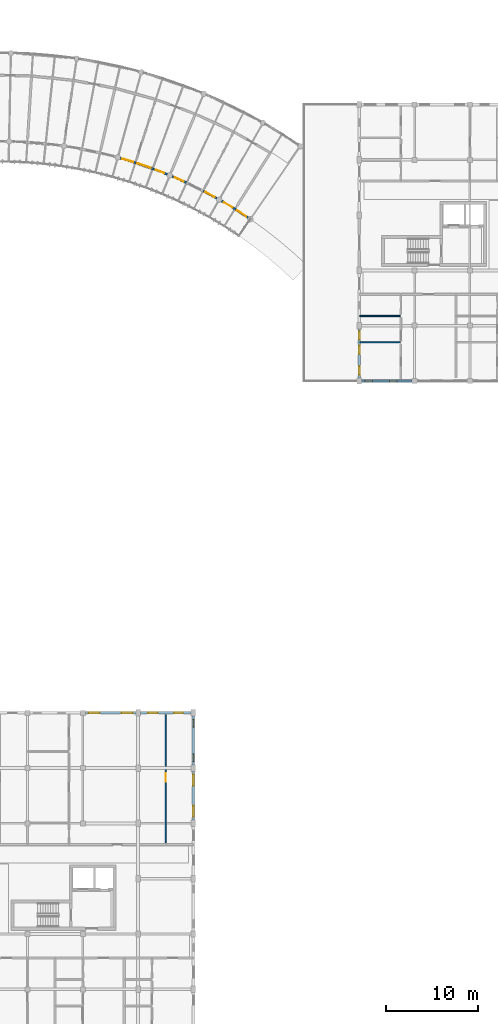
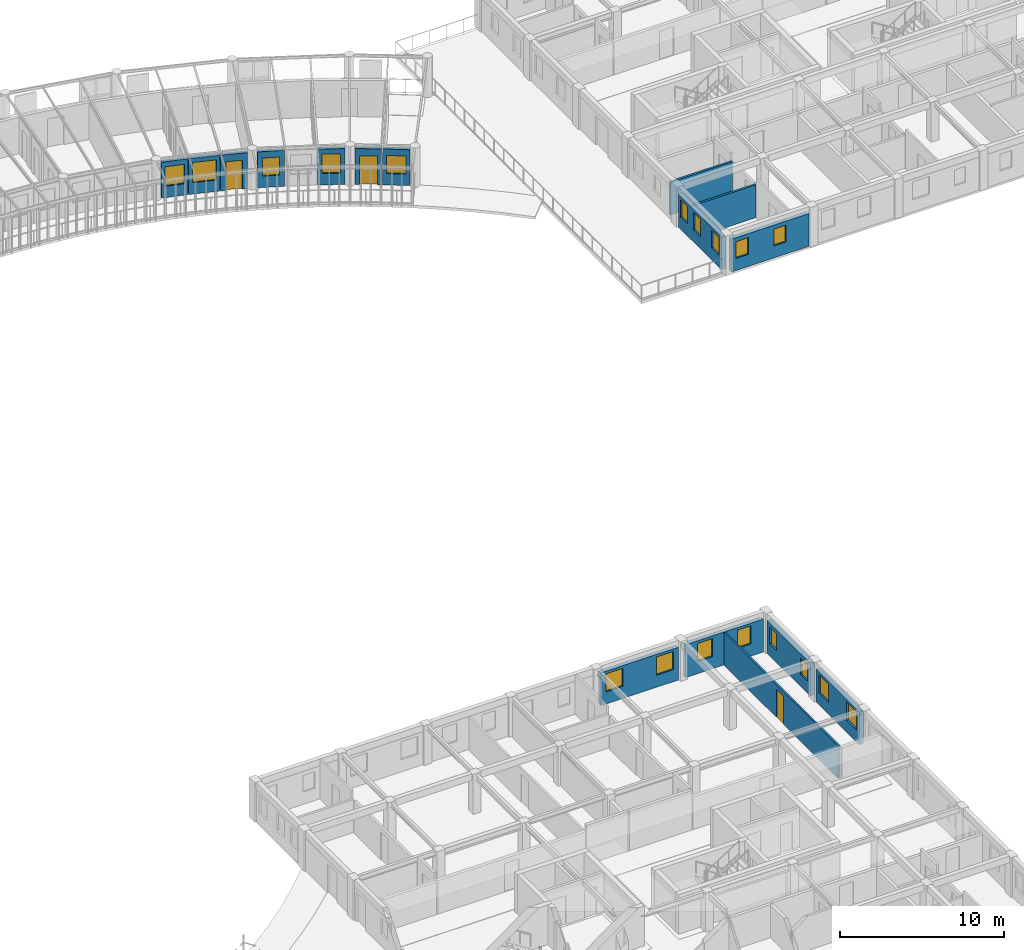
# One storey, part 77 of 101: 18 windows, 16 walls, 3 doors, 21 openings.
"""IFC4 building model written with IfcOpenShell, lengths in metres."""

from ifc_helpers import new_model, si_unit, direction, frame, frame_2d, origin, place, context, subcontext, project, spatial, rectangle, extrude, material, layer, layer_set, type_object, element, fill, save


model = new_model("IFC4")

# Units and contexts
model_context = context("Model", 3, precision=1e-05, world=origin(), true_north=direction((0.0, 1.0)))
body_context = subcontext(model_context, "Body", "Model", "MODEL_VIEW")
ifc_project = project(units=[si_unit("LENGTHUNIT", "METRE"), si_unit("AREAUNIT", "SQUARE_METRE"), si_unit("VOLUMEUNIT", "CUBIC_METRE"), si_unit("PLANEANGLEUNIT", "RADIAN"), si_unit("MASSUNIT", "GRAM", prefix="KILO"), si_unit("POWERUNIT", "WATT"), si_unit("THERMODYNAMICTEMPERATUREUNIT", "KELVIN")], contexts=[model_context])

# Site, building, storey
site_placement = place(None, origin())
site = spatial("IfcSite", under=ifc_project, at=site_placement, CompositionType="ELEMENT")
building_placement = place(site_placement, origin())
building = spatial("IfcBuilding", under=site, at=building_placement, Name="Ruvembo Vaulted Housing Court", CompositionType="ELEMENT")
storey_placement = place(building_placement, frame((0.0, 0.0, 17.300048828125)))
storey = spatial("IfcBuildingStorey", under=building, at=storey_placement, Name="L05", CompositionType="ELEMENT", Elevation=17.300048828125)

# Wall, opening, window
ifc_material_1 = material(Name="Rendered Masonry 235", Category="masonry")
ifc_layer_1 = layer(ifc_material_1, 0.235107421875, Name="Rendered Masonry 235")
ifc_layer_set_1 = layer_set([ifc_layer_1], Name="Rendered Masonry 235")
wall_type_1 = type_object("IfcWallType", Name="WL-EXT-235", PredefinedType="STANDARD", material=ifc_layer_set_1)
wall_1_placement = place(storey_placement, frame((130.08203125, 96.177490234375, 0.0), z_axis=(0.0, 0.0, 1.0), x_axis=(0.958063008465, -0.286557623894, 0.0)))
wall_1 = element("IfcWall", 1, at=wall_1_placement, inside=storey, type_object=wall_type_1, Name="Scoop SC3 L05 Concave Balcony Wall 21", PredefinedType="STANDARD", context=body_context, shape_type="SweptSolid", body=[
    extrude(rectangle(XDim=1.67236328125, YDim=0.235107421875, at=frame_2d((0.836181640625, 0.0))), origin(), (0.0, 0.0, 1.0), 2.676025390625),
])
opening_1_placement = place(wall_1_placement, frame((0.236083984375, 0.0, 0.85009765625)))
opening_1 = element("IfcOpeningElement", 2, at=opening_1_placement, cuts=wall_1, Name="Opening W13", PredefinedType="OPENING", context=body_context, shape_type="SweptSolid", body=[
    extrude(rectangle(XDim=1.199951171875, YDim=1.449951171875, at=frame_2d((0.60009765625, 0.72509765625))), frame((0.0, 0.12744140625, 0.0), z_axis=(0.0, -1.0, 0.0), x_axis=(1.0, 0.0, 0.0)), (0.0, 0.0, 1.0), 0.255126953125),
])
ifc_material_2 = material(Name="Double Solar-Control Glazing in Aluminium Frame", Category="aluminium")
window_type_1 = type_object("IfcWindowType", Name="WIN-1200x1450", PartitioningType="SINGLE_PANEL", PredefinedType="WINDOW", material=ifc_material_2)
window_1_placement = place(opening_1_placement, origin())
window_1 = element("IfcWindow", 3, at=window_1_placement, inside=storey, type_object=window_type_1, Name="Scoop SC3 L05 Concave Window 21", OverallHeight=1.449951171875, OverallWidth=1.199951171875, PartitioningType="SINGLE_PANEL", PredefinedType="WINDOW", context=body_context, shape_type="SweptSolid", body=[
    extrude(rectangle(XDim=1.199951171875, YDim=1.449951171875, at=frame_2d((0.60009765625, 0.72509765625))), frame((0.0, 0.030029296875, 0.0), z_axis=(0.0, -1.0, 0.0), x_axis=(1.0, 0.0, 0.0)), (0.0, 0.0, 1.0), 0.06005859375),
])
fill(opening_1, window_1)

wall_2_placement = place(storey_placement, frame((131.722412109375, 95.68603515625, 0.0), z_axis=(0.0, 0.0, 1.0), x_axis=(0.945368994877, -0.326002244662, 0.0)))
wall_2 = element("IfcWall", 4, at=wall_2_placement, inside=storey, type_object=wall_type_1, Name="Scoop SC3 L05 Concave Balcony Wall 22", PredefinedType="STANDARD", context=body_context, shape_type="SweptSolid", body=[
    extrude(rectangle(XDim=1.952392578125, YDim=0.235107421875, at=frame_2d((0.97607421875, 0.0))), origin(), (0.0, 0.0, 1.0), 2.676025390625),
])
opening_2_placement = place(wall_2_placement, frame((0.226318359375, 0.0, 0.85009765625)))
opening_2 = element("IfcOpeningElement", 5, at=opening_2_placement, cuts=wall_2, Name="Opening W19", PredefinedType="OPENING", context=body_context, shape_type="SweptSolid", body=[
    extrude(rectangle(XDim=1.5, YDim=1.5, at=frame_2d((0.75, 0.75))), frame((0.0, 0.12744140625, 0.0), z_axis=(0.0, -1.0, 0.0), x_axis=(1.0, 0.0, 0.0)), (0.0, 0.0, 1.0), 0.255126953125),
])
window_type_2 = type_object("IfcWindowType", Name="WIN-1500x1500", PartitioningType="SINGLE_PANEL", PredefinedType="WINDOW", material=ifc_material_2)
window_2_placement = place(opening_2_placement, origin())
window_2 = element("IfcWindow", 6, at=window_2_placement, inside=storey, type_object=window_type_2, Name="Scoop SC3 L05 Concave Window 22", OverallHeight=1.5, OverallWidth=1.5, PartitioningType="SINGLE_PANEL", PredefinedType="WINDOW", context=body_context, shape_type="SweptSolid", body=[
    extrude(rectangle(XDim=1.5, YDim=1.5, at=frame_2d((0.75, 0.75))), frame((0.0, 0.030029296875, 0.0), z_axis=(0.0, -1.0, 0.0), x_axis=(1.0, 0.0, 0.0)), (0.0, 0.0, 1.0), 0.06005859375),
])
fill(opening_2, window_2)

# Wall, opening, door
wall_3_placement = place(storey_placement, frame((133.605712890625, 95.03564453125, 0.0), z_axis=(0.0, 0.0, 1.0), x_axis=(0.931012112308, -0.364988283012, 0.0)))
wall_3 = element("IfcWall", 7, at=wall_3_placement, inside=storey, type_object=wall_type_1, Name="Scoop SC3 L05 Concave Balcony Wall 23", PredefinedType="STANDARD", context=body_context, shape_type="SweptSolid", body=[
    extrude(rectangle(XDim=1.67236328125, YDim=0.235107421875, at=frame_2d((0.836181640625, 0.0))), origin(), (0.0, 0.0, 1.0), 2.676025390625),
])
opening_3_placement = place(wall_3_placement, frame((0.336181640625, 0.0, 0.0)))
opening_3 = element("IfcOpeningElement", 8, at=opening_3_placement, cuts=wall_3, Name="Opening BD1", PredefinedType="OPENING", context=body_context, shape_type="SweptSolid", body=[
    extrude(rectangle(XDim=1.0, YDim=2.14990234375, at=frame_2d((0.5, 1.074951171875))), frame((0.0, 0.12744140625, 0.0), z_axis=(0.0, -1.0, 0.0), x_axis=(1.0, 0.0, 0.0)), (0.0, 0.0, 1.0), 0.255126953125),
])
ifc_material_3 = material(Name="Thermally Broken Glazed Aluminium", Category="aluminium")
door_type_1 = type_object("IfcDoorType", Name="DR-BAL-1000x2150", OperationType="NOTDEFINED", PredefinedType="DOOR", material=ifc_material_3)
door_1_placement = place(opening_3_placement, frame((1.0, 0.0, 0.0), z_axis=(0.0, 0.0, 1.0), x_axis=(-1.0, 0.0, 0.0)))
door_1 = element("IfcDoor", 9, at=door_1_placement, inside=storey, type_object=door_type_1, Name="Scoop SC3 L05 Balcony Door 23", OperationType="SINGLE_SWING_RIGHT", OverallHeight=2.14990234375, OverallWidth=1.0, PredefinedType="DOOR", context=body_context, shape_type="SweptSolid", body=[
    extrude(rectangle(XDim=1.0, YDim=2.14990234375, at=frame_2d((0.5, 1.074951171875))), frame((0.0, 0.02490234375, 0.0), z_axis=(0.0, -1.0, 0.0), x_axis=(1.0, 0.0, 0.0)), (0.0, 0.0, 1.0), 0.050048828125),
])
fill(opening_3, door_1)

# Wall, opening, window
wall_4_placement = place(storey_placement, frame((135.716552734375, 94.19482421875, 0.0), z_axis=(0.0, 0.0, 1.0), x_axis=(0.915095317091, -0.403237598246, 0.0)))
wall_4 = element("IfcWall", 10, at=wall_4_placement, inside=storey, type_object=wall_type_1, Name="Scoop SC3 L05 Concave Balcony Wall 24", PredefinedType="STANDARD", context=body_context, shape_type="SweptSolid", body=[
    extrude(rectangle(XDim=1.67236328125, YDim=0.235107421875, at=frame_2d((0.836181640625, 0.0))), origin(), (0.0, 0.0, 1.0), 2.676025390625),
])
opening_4_placement = place(wall_4_placement, frame((0.311279296875, 0.0, 0.85009765625)))
opening_4 = element("IfcOpeningElement", 11, at=opening_4_placement, cuts=wall_4, Name="Opening W09", PredefinedType="OPENING", context=body_context, shape_type="SweptSolid", body=[
    extrude(rectangle(XDim=1.050048828125, YDim=1.35009765625, at=frame_2d((0.52490234375, 0.675048828125))), frame((0.0, 0.12744140625, 0.0), z_axis=(0.0, -1.0, 0.0), x_axis=(1.0, 0.0, 0.0)), (0.0, 0.0, 1.0), 0.255126953125),
])
window_type_3 = type_object("IfcWindowType", Name="WIN-1050x1350", PartitioningType="SINGLE_PANEL", PredefinedType="WINDOW", material=ifc_material_2)
window_3_placement = place(opening_4_placement, origin())
window_3 = element("IfcWindow", 12, at=window_3_placement, inside=storey, type_object=window_type_3, Name="Scoop SC3 L05 Concave Window 24", OverallHeight=1.35009765625, OverallWidth=1.050048828125, PartitioningType="SINGLE_PANEL", PredefinedType="WINDOW", context=body_context, shape_type="SweptSolid", body=[
    extrude(rectangle(XDim=1.050048828125, YDim=1.35009765625, at=frame_2d((0.52490234375, 0.675048828125))), frame((0.0, 0.030029296875, 0.0), z_axis=(0.0, -1.0, 0.0), x_axis=(1.0, 0.0, 0.0)), (0.0, 0.0, 1.0), 0.06005859375),
])
fill(opening_4, window_3)

wall_5_placement = place(storey_placement, frame((139.071044921875, 92.624267578125, 0.0), z_axis=(0.0, 0.0, 1.0), x_axis=(0.878447349235, -0.477839151412, 0.0)))
wall_5 = element("IfcWall", 13, at=wall_5_placement, inside=storey, type_object=wall_type_1, Name="Scoop SC3 L05 Concave Balcony Wall 26", PredefinedType="STANDARD", context=body_context, shape_type="SweptSolid", body=[
    extrude(rectangle(XDim=1.67236328125, YDim=0.235107421875, at=frame_2d((0.836181640625, 0.0))), origin(), (0.0, 0.0, 1.0), 2.676025390625),
])
opening_5_placement = place(wall_5_placement, frame((0.26123046875, 0.0, 0.85009765625)))
opening_5 = element("IfcOpeningElement", 14, at=opening_5_placement, cuts=wall_5, Name="Opening W11", PredefinedType="OPENING", context=body_context, shape_type="SweptSolid", body=[
    extrude(rectangle(XDim=1.14990234375, YDim=1.449951171875, at=frame_2d((0.574951171875, 0.72509765625))), frame((0.0, 0.12744140625, 0.0), z_axis=(0.0, -1.0, 0.0), x_axis=(1.0, 0.0, 0.0)), (0.0, 0.0, 1.0), 0.255126953125),
])
window_type_4 = type_object("IfcWindowType", Name="WIN-1150x1450", PartitioningType="SINGLE_PANEL", PredefinedType="WINDOW", material=ifc_material_2)
window_4_placement = place(opening_5_placement, origin())
window_4 = element("IfcWindow", 15, at=window_4_placement, inside=storey, type_object=window_type_4, Name="Scoop SC3 L05 Concave Window 26", OverallHeight=1.449951171875, OverallWidth=1.14990234375, PartitioningType="SINGLE_PANEL", PredefinedType="WINDOW", context=body_context, shape_type="SweptSolid", body=[
    extrude(rectangle(XDim=1.14990234375, YDim=1.449951171875, at=frame_2d((0.574951171875, 0.72509765625))), frame((0.0, 0.030029296875, 0.0), z_axis=(0.0, -1.0, 0.0), x_axis=(1.0, 0.0, 0.0)), (0.0, 0.0, 1.0), 0.06005859375),
])
fill(opening_5, window_4)

# Wall, opening, door
wall_6_placement = place(storey_placement, frame((141.06103515625, 91.52783203125, 0.0), z_axis=(0.0, 0.0, 1.0), x_axis=(0.857853402967, -0.513894482377, 0.0)))
wall_6 = element("IfcWall", 16, at=wall_6_placement, inside=storey, type_object=wall_type_1, Name="Scoop SC3 L05 Concave Balcony Wall 27", PredefinedType="STANDARD", context=body_context, shape_type="SweptSolid", body=[
    extrude(rectangle(XDim=1.67236328125, YDim=0.235107421875, at=frame_2d((0.836181640625, 0.0))), origin(), (0.0, 0.0, 1.0), 2.676025390625),
])
opening_6_placement = place(wall_6_placement, frame((0.2861328125, 0.0, 0.0)))
opening_6 = element("IfcOpeningElement", 17, at=opening_6_placement, cuts=wall_6, Name="Opening BD3", PredefinedType="OPENING", context=body_context, shape_type="SweptSolid", body=[
    extrude(rectangle(XDim=1.10009765625, YDim=2.14990234375, at=frame_2d((0.550048828125, 1.074951171875))), frame((0.0, 0.12744140625, 0.0), z_axis=(0.0, -1.0, 0.0), x_axis=(1.0, 0.0, 0.0)), (0.0, 0.0, 1.0), 0.255126953125),
])
door_type_2 = type_object("IfcDoorType", Name="DR-BAL-1100x2150", OperationType="NOTDEFINED", PredefinedType="DOOR", material=ifc_material_3)
door_2_placement = place(opening_6_placement, frame((1.10009765625, 0.0, 0.0), z_axis=(0.0, 0.0, 1.0), x_axis=(-1.0, 0.0, 0.0)))
door_2 = element("IfcDoor", 18, at=door_2_placement, inside=storey, type_object=door_type_2, Name="Scoop SC3 L05 Balcony Door 27", OperationType="SINGLE_SWING_LEFT", OverallHeight=2.14990234375, OverallWidth=1.10009765625, PredefinedType="DOOR", context=body_context, shape_type="SweptSolid", body=[
    extrude(rectangle(XDim=1.10009765625, YDim=2.14990234375, at=frame_2d((0.550048828125, 1.074951171875))), frame((0.0, 0.02490234375, 0.0), z_axis=(0.0, -1.0, 0.0), x_axis=(1.0, 0.0, 0.0)), (0.0, 0.0, 1.0), 0.050048828125),
])
fill(opening_6, door_2)

# Wall, opening, window
wall_7_placement = place(storey_placement, frame((142.529541015625, 90.647216796875, 0.0), z_axis=(0.0, 0.0, 1.0), x_axis=(0.83589302699, -0.548892382375, 0.0)))
wall_7 = element("IfcWall", 19, at=wall_7_placement, inside=storey, type_object=wall_type_1, Name="Scoop SC3 L05 Concave Balcony Wall 28", PredefinedType="STANDARD", context=body_context, shape_type="SweptSolid", body=[
    extrude(rectangle(XDim=1.67236328125, YDim=0.235107421875, at=frame_2d((0.836181640625, 0.0))), origin(), (0.0, 0.0, 1.0), 2.676025390625),
])
opening_7_placement = place(wall_7_placement, frame((0.236083984375, 0.0, 0.85009765625)))
opening_7 = element("IfcOpeningElement", 20, at=opening_7_placement, cuts=wall_7, Name="Opening W12", PredefinedType="OPENING", context=body_context, shape_type="SweptSolid", body=[
    extrude(rectangle(XDim=1.199951171875, YDim=1.35009765625, at=frame_2d((0.60009765625, 0.675048828125))), frame((0.0, 0.12744140625, 0.0), z_axis=(0.0, -1.0, 0.0), x_axis=(1.0, 0.0, 0.0)), (0.0, 0.0, 1.0), 0.255126953125),
])
window_type_5 = type_object("IfcWindowType", Name="WIN-1200x1350", PartitioningType="SINGLE_PANEL", PredefinedType="WINDOW", material=ifc_material_2)
window_5_placement = place(opening_7_placement, origin())
window_5 = element("IfcWindow", 21, at=window_5_placement, inside=storey, type_object=window_type_5, Name="Scoop SC3 L05 Concave Window 28", OverallHeight=1.35009765625, OverallWidth=1.199951171875, PartitioningType="SINGLE_PANEL", PredefinedType="WINDOW", context=body_context, shape_type="SweptSolid", body=[
    extrude(rectangle(XDim=1.199951171875, YDim=1.35009765625, at=frame_2d((0.60009765625, 0.675048828125))), frame((0.0, 0.030029296875, 0.0), z_axis=(0.0, -1.0, 0.0), x_axis=(1.0, 0.0, 0.0)), (0.0, 0.0, 1.0), 0.06005859375),
])
fill(opening_7, window_5)

# Wall, openings, windows
ifc_material_4 = material(Name="Rendered Masonry 285", Category="masonry")
ifc_layer_2 = layer(ifc_material_4, 0.284912109375, Name="Rendered Masonry 285")
ifc_layer_set_2 = layer_set([ifc_layer_2], Name="Rendered Masonry 285")
wall_type_2 = type_object("IfcWallType", Name="WL-EXT-285", PredefinedType="STANDARD", material=ifc_layer_set_2)
wall_8_placement = place(storey_placement, frame((138.0, 24.35009765625, 0.0), z_axis=(0.0, 0.0, 1.0), x_axis=(0.0, 1.0, 0.0)))
wall_8 = element("IfcWall", 22, at=wall_8_placement, inside=storey, type_object=wall_type_2, Name="Block C L05 Exterior Wall EAST #5", PredefinedType="STANDARD", context=body_context, shape_type="SweptSolid", body=[
    extrude(rectangle(XDim=5.2998046875, YDim=0.284912109375, at=frame_2d((2.64990234375, 0.0))), origin(), (0.0, 0.0, 1.0), 2.447021484375),
])
opening_8_placement = place(wall_8_placement, frame((0.35009765625, 0.0, 0.89990234375)))
opening_8 = element("IfcOpeningElement", 23, at=opening_8_placement, cuts=wall_8, Name="Opening W12", PredefinedType="OPENING", context=body_context, shape_type="SweptSolid", body=[
    extrude(rectangle(XDim=1.199951171875, YDim=1.35009765625, at=frame_2d((0.60009765625, 0.675048828125))), frame((0.0, 0.15234375, 0.0), z_axis=(0.0, -1.0, 0.0), x_axis=(1.0, 0.0, 0.0)), (0.0, 0.0, 1.0), 0.304931640625),
])
opening_9_placement = place(wall_8_placement, frame((3.75, 0.0, 0.89990234375)))
opening_9 = element("IfcOpeningElement", 24, at=opening_9_placement, cuts=wall_8, Name="Opening W12", PredefinedType="OPENING", context=body_context, shape_type="SweptSolid", body=[
    extrude(rectangle(XDim=1.199951171875, YDim=1.35009765625, at=frame_2d((0.60009765625, 0.675048828125))), frame((0.0, 0.15234375, 0.0), z_axis=(0.0, -1.0, 0.0), x_axis=(1.0, 0.0, 0.0)), (0.0, 0.0, 1.0), 0.304931640625),
])
window_6_placement = place(opening_8_placement, origin())
window_6 = element("IfcWindow", 25, at=window_6_placement, inside=storey, type_object=window_type_5, Name="Block C L05 Window #1301", OverallHeight=1.35009765625, OverallWidth=1.199951171875, PartitioningType="SINGLE_PANEL", PredefinedType="WINDOW", context=body_context, shape_type="SweptSolid", body=[
    extrude(rectangle(XDim=1.199951171875, YDim=1.35009765625, at=frame_2d((0.60009765625, 0.675048828125))), frame((0.0, 0.030029296875, 0.0), z_axis=(0.0, -1.0, 0.0), x_axis=(1.0, 0.0, 0.0)), (0.0, 0.0, 1.0), 0.06005859375),
])
fill(opening_8, window_6)
window_7_placement = place(opening_9_placement, origin())
window_7 = element("IfcWindow", 26, at=window_7_placement, inside=storey, type_object=window_type_5, Name="Block C L05 Window #1302", OverallHeight=1.35009765625, OverallWidth=1.199951171875, PartitioningType="SINGLE_PANEL", PredefinedType="WINDOW", context=body_context, shape_type="SweptSolid", body=[
    extrude(rectangle(XDim=1.199951171875, YDim=1.35009765625, at=frame_2d((0.60009765625, 0.675048828125))), frame((0.0, 0.030029296875, 0.0), z_axis=(0.0, -1.0, 0.0), x_axis=(1.0, 0.0, 0.0)), (0.0, 0.0, 1.0), 0.06005859375),
])
fill(opening_9, window_7)

wall_9_placement = place(storey_placement, frame((138.0, 30.35009765625, 0.0), z_axis=(0.0, 0.0, 1.0), x_axis=(0.0, 1.0, 0.0)))
wall_9 = element("IfcWall", 27, at=wall_9_placement, inside=storey, type_object=wall_type_2, Name="Block C L05 Exterior Wall EAST #6", PredefinedType="STANDARD", context=body_context, shape_type="SweptSolid", body=[
    extrude(rectangle(XDim=5.2998046875, YDim=0.284912109375, at=frame_2d((2.64990234375, 0.0))), origin(), (0.0, 0.0, 1.0), 2.447021484375),
])
opening_10_placement = place(wall_9_placement, frame((0.35009765625, 0.0, 0.89990234375)))
opening_10 = element("IfcOpeningElement", 28, at=opening_10_placement, cuts=wall_9, Name="Opening W03", PredefinedType="OPENING", context=body_context, shape_type="SweptSolid", body=[
    extrude(rectangle(XDim=0.85009765625, YDim=1.25, at=frame_2d((0.425048828125, 0.625))), frame((0.0, 0.15234375, 0.0), z_axis=(0.0, -1.0, 0.0), x_axis=(1.0, 0.0, 0.0)), (0.0, 0.0, 1.0), 0.304931640625),
])
opening_11_placement = place(wall_9_placement, frame((4.10009765625, 0.0, 0.89990234375)))
opening_11 = element("IfcOpeningElement", 29, at=opening_11_placement, cuts=wall_9, Name="Opening W03", PredefinedType="OPENING", context=body_context, shape_type="SweptSolid", body=[
    extrude(rectangle(XDim=0.85009765625, YDim=1.25, at=frame_2d((0.425048828125, 0.625))), frame((0.0, 0.15234375, 0.0), z_axis=(0.0, -1.0, 0.0), x_axis=(1.0, 0.0, 0.0)), (0.0, 0.0, 1.0), 0.304931640625),
])
window_type_6 = type_object("IfcWindowType", Name="WIN-0850x1250", PartitioningType="SINGLE_PANEL", PredefinedType="WINDOW", material=ifc_material_2)
window_8_placement = place(opening_10_placement, origin())
window_8 = element("IfcWindow", 30, at=window_8_placement, inside=storey, type_object=window_type_6, Name="Block C L05 Window #1303", OverallHeight=1.25, OverallWidth=0.85009765625, PartitioningType="SINGLE_PANEL", PredefinedType="WINDOW", context=body_context, shape_type="SweptSolid", body=[
    extrude(rectangle(XDim=0.85009765625, YDim=1.25, at=frame_2d((0.425048828125, 0.625))), frame((0.0, 0.030029296875, 0.0), z_axis=(0.0, -1.0, 0.0), x_axis=(1.0, 0.0, 0.0)), (0.0, 0.0, 1.0), 0.06005859375),
])
fill(opening_10, window_8)
window_9_placement = place(opening_11_placement, origin())
window_9 = element("IfcWindow", 31, at=window_9_placement, inside=storey, type_object=window_type_6, Name="Block C L05 Window #1304", OverallHeight=1.25, OverallWidth=0.85009765625, PartitioningType="SINGLE_PANEL", PredefinedType="WINDOW", context=body_context, shape_type="SweptSolid", body=[
    extrude(rectangle(XDim=0.85009765625, YDim=1.25, at=frame_2d((0.425048828125, 0.625))), frame((0.0, 0.030029296875, 0.0), z_axis=(0.0, -1.0, 0.0), x_axis=(1.0, 0.0, 0.0)), (0.0, 0.0, 1.0), 0.06005859375),
])
fill(opening_11, window_9)

wall_10_placement = place(storey_placement, frame((137.75, 36.0, 0.0), z_axis=(0.0, 0.0, 1.0), x_axis=(-1.0, 0.0, 0.0)))
wall_10 = element("IfcWall", 32, at=wall_10_placement, inside=storey, type_object=wall_type_2, Name="Block C L05 Exterior Wall COURTYARD #1", PredefinedType="STANDARD", context=body_context, shape_type="SweptSolid", body=[
    extrude(rectangle(XDim=5.5, YDim=0.284912109375, at=frame_2d((2.75, 0.0))), origin(), (0.0, 0.0, 1.0), 2.447021484375),
])
opening_12_placement = place(wall_10_placement, frame((0.8798828125, 0.0, 0.89990234375)))
opening_12 = element("IfcOpeningElement", 33, at=opening_12_placement, cuts=wall_10, Name="Opening W07", PredefinedType="OPENING", context=body_context, shape_type="SweptSolid", body=[
    extrude(rectangle(XDim=0.949951171875, YDim=1.35009765625, at=frame_2d((0.47509765625, 0.675048828125))), frame((0.0, 0.15234375, 0.0), z_axis=(0.0, -1.0, 0.0), x_axis=(1.0, 0.0, 0.0)), (0.0, 0.0, 1.0), 0.304931640625),
])
opening_13_placement = place(wall_10_placement, frame((3.6201171875, 0.0, 0.89990234375)))
opening_13 = element("IfcOpeningElement", 34, at=opening_13_placement, cuts=wall_10, Name="Opening W09", PredefinedType="OPENING", context=body_context, shape_type="SweptSolid", body=[
    extrude(rectangle(XDim=1.050048828125, YDim=1.35009765625, at=frame_2d((0.52490234375, 0.675048828125))), frame((0.0, 0.15234375, 0.0), z_axis=(0.0, -1.0, 0.0), x_axis=(1.0, 0.0, 0.0)), (0.0, 0.0, 1.0), 0.304931640625),
])
window_type_7 = type_object("IfcWindowType", Name="WIN-0950x1350", PartitioningType="SINGLE_PANEL", PredefinedType="WINDOW", material=ifc_material_2)
window_10_placement = place(opening_12_placement, origin())
window_10 = element("IfcWindow", 35, at=window_10_placement, inside=storey, type_object=window_type_7, Name="Block C L05 Window #1305", OverallHeight=1.35009765625, OverallWidth=0.949951171875, PartitioningType="SINGLE_PANEL", PredefinedType="WINDOW", context=body_context, shape_type="SweptSolid", body=[
    extrude(rectangle(XDim=0.949951171875, YDim=1.35009765625, at=frame_2d((0.47509765625, 0.675048828125))), frame((0.0, 0.030029296875, 0.0), z_axis=(0.0, -1.0, 0.0), x_axis=(1.0, 0.0, 0.0)), (0.0, 0.0, 1.0), 0.06005859375),
])
fill(opening_12, window_10)
window_11_placement = place(opening_13_placement, origin())
window_11 = element("IfcWindow", 36, at=window_11_placement, inside=storey, type_object=window_type_3, Name="Block C L05 Window #1306", OverallHeight=1.35009765625, OverallWidth=1.050048828125, PartitioningType="SINGLE_PANEL", PredefinedType="WINDOW", context=body_context, shape_type="SweptSolid", body=[
    extrude(rectangle(XDim=1.050048828125, YDim=1.35009765625, at=frame_2d((0.52490234375, 0.675048828125))), frame((0.0, 0.030029296875, 0.0), z_axis=(0.0, -1.0, 0.0), x_axis=(1.0, 0.0, 0.0)), (0.0, 0.0, 1.0), 0.06005859375),
])
fill(opening_13, window_11)

wall_11_placement = place(storey_placement, frame((131.75, 36.0, 0.0), z_axis=(0.0, 0.0, 1.0), x_axis=(-1.0, 0.0, 0.0)))
wall_11 = element("IfcWall", 37, at=wall_11_placement, inside=storey, type_object=wall_type_2, Name="Block C L05 Exterior Wall COURTYARD #2", PredefinedType="STANDARD", context=body_context, shape_type="SweptSolid", body=[
    extrude(rectangle(XDim=5.47509765625, YDim=0.284912109375, at=frame_2d((2.737548828125, 0.0))), origin(), (0.0, 0.0, 1.0), 2.447021484375),
])
opening_14_placement = place(wall_11_placement, frame((0.35009765625, 0.0, 0.89990234375)))
opening_14 = element("IfcOpeningElement", 38, at=opening_14_placement, cuts=wall_11, Name="Opening W12", PredefinedType="OPENING", context=body_context, shape_type="SweptSolid", body=[
    extrude(rectangle(XDim=1.199951171875, YDim=1.35009765625, at=frame_2d((0.60009765625, 0.675048828125))), frame((0.0, 0.15234375, 0.0), z_axis=(0.0, -1.0, 0.0), x_axis=(1.0, 0.0, 0.0)), (0.0, 0.0, 1.0), 0.304931640625),
])
opening_15_placement = place(wall_11_placement, frame((3.925048828125, 0.0, 0.89990234375)))
opening_15 = element("IfcOpeningElement", 39, at=opening_15_placement, cuts=wall_11, Name="Opening W12", PredefinedType="OPENING", context=body_context, shape_type="SweptSolid", body=[
    extrude(rectangle(XDim=1.199951171875, YDim=1.35009765625, at=frame_2d((0.60009765625, 0.675048828125))), frame((0.0, 0.15234375, 0.0), z_axis=(0.0, -1.0, 0.0), x_axis=(1.0, 0.0, 0.0)), (0.0, 0.0, 1.0), 0.304931640625),
])
window_12_placement = place(opening_14_placement, origin())
window_12 = element("IfcWindow", 40, at=window_12_placement, inside=storey, type_object=window_type_5, Name="Block C L05 Window #1307", OverallHeight=1.35009765625, OverallWidth=1.199951171875, PartitioningType="SINGLE_PANEL", PredefinedType="WINDOW", context=body_context, shape_type="SweptSolid", body=[
    extrude(rectangle(XDim=1.199951171875, YDim=1.35009765625, at=frame_2d((0.60009765625, 0.675048828125))), frame((0.0, 0.030029296875, 0.0), z_axis=(0.0, -1.0, 0.0), x_axis=(1.0, 0.0, 0.0)), (0.0, 0.0, 1.0), 0.06005859375),
])
fill(opening_14, window_12)
window_13_placement = place(opening_15_placement, origin())
window_13 = element("IfcWindow", 41, at=window_13_placement, inside=storey, type_object=window_type_5, Name="Block C L05 Window #1308", OverallHeight=1.35009765625, OverallWidth=1.199951171875, PartitioningType="SINGLE_PANEL", PredefinedType="WINDOW", context=body_context, shape_type="SweptSolid", body=[
    extrude(rectangle(XDim=1.199951171875, YDim=1.35009765625, at=frame_2d((0.60009765625, 0.675048828125))), frame((0.0, 0.030029296875, 0.0), z_axis=(0.0, -1.0, 0.0), x_axis=(1.0, 0.0, 0.0)), (0.0, 0.0, 1.0), 0.06005859375),
])
fill(opening_15, window_13)

wall_12_placement = place(storey_placement, frame((156.25, 72.0, 0.0), z_axis=(0.0, 0.0, 1.0), x_axis=(1.0, 0.0, 0.0)))
wall_12 = element("IfcWall", 42, at=wall_12_placement, inside=storey, type_object=wall_type_2, Name="Block D L05 Exterior Wall COURTYARD #1", PredefinedType="STANDARD", context=body_context, shape_type="SweptSolid", body=[
    extrude(rectangle(XDim=5.47509765625, YDim=0.284912109375, at=frame_2d((2.737548828125, 0.0))), origin(), (0.0, 0.0, 1.0), 2.447021484375),
])
opening_16_placement = place(wall_12_placement, frame((0.35009765625, 0.0, 0.89990234375)))
opening_16 = element("IfcOpeningElement", 43, at=opening_16_placement, cuts=wall_12, Name="Opening W03", PredefinedType="OPENING", context=body_context, shape_type="SweptSolid", body=[
    extrude(rectangle(XDim=0.85009765625, YDim=1.25, at=frame_2d((0.425048828125, 0.625))), frame((0.0, 0.15234375, 0.0), z_axis=(0.0, -1.0, 0.0), x_axis=(1.0, 0.0, 0.0)), (0.0, 0.0, 1.0), 0.304931640625),
])
opening_17_placement = place(wall_12_placement, frame((3.010009765625, 0.0, 0.89990234375)))
opening_17 = element("IfcOpeningElement", 44, at=opening_17_placement, cuts=wall_12, Name="Opening W03", PredefinedType="OPENING", context=body_context, shape_type="SweptSolid", body=[
    extrude(rectangle(XDim=0.85009765625, YDim=1.25, at=frame_2d((0.425048828125, 0.625))), frame((0.0, 0.15234375, 0.0), z_axis=(0.0, -1.0, 0.0), x_axis=(1.0, 0.0, 0.0)), (0.0, 0.0, 1.0), 0.304931640625),
])
window_14_placement = place(opening_16_placement, origin())
window_14 = element("IfcWindow", 45, at=window_14_placement, inside=storey, type_object=window_type_6, Name="Block D L05 Window #1663", OverallHeight=1.25, OverallWidth=0.85009765625, PartitioningType="SINGLE_PANEL", PredefinedType="WINDOW", context=body_context, shape_type="SweptSolid", body=[
    extrude(rectangle(XDim=0.85009765625, YDim=1.25, at=frame_2d((0.425048828125, 0.625))), frame((0.0, 0.030029296875, 0.0), z_axis=(0.0, -1.0, 0.0), x_axis=(1.0, 0.0, 0.0)), (0.0, 0.0, 1.0), 0.06005859375),
])
fill(opening_16, window_14)
window_15_placement = place(opening_17_placement, origin())
window_15 = element("IfcWindow", 46, at=window_15_placement, inside=storey, type_object=window_type_6, Name="Block D L05 Window #1664", OverallHeight=1.25, OverallWidth=0.85009765625, PartitioningType="SINGLE_PANEL", PredefinedType="WINDOW", context=body_context, shape_type="SweptSolid", body=[
    extrude(rectangle(XDim=0.85009765625, YDim=1.25, at=frame_2d((0.425048828125, 0.625))), frame((0.0, 0.030029296875, 0.0), z_axis=(0.0, -1.0, 0.0), x_axis=(1.0, 0.0, 0.0)), (0.0, 0.0, 1.0), 0.06005859375),
])
fill(opening_17, window_15)

wall_13_placement = place(storey_placement, frame((156.0, 77.64990234375, 0.0), z_axis=(0.0, 0.0, 1.0), x_axis=(0.0, -1.0, 0.0)))
wall_13 = element("IfcWall", 47, at=wall_13_placement, inside=storey, type_object=wall_type_2, Name="Block D L05 Exterior Wall WEST #5", PredefinedType="STANDARD", context=body_context, shape_type="SweptSolid", body=[
    extrude(rectangle(XDim=5.2998046875, YDim=0.284912109375, at=frame_2d((2.64990234375, 0.0))), origin(), (0.0, 0.0, 1.0), 2.447021484375),
])
opening_18_placement = place(wall_13_placement, frame((0.2548828125, 0.0, 0.89990234375)))
opening_18 = element("IfcOpeningElement", 48, at=opening_18_placement, cuts=wall_13, Name="Opening W04", PredefinedType="OPENING", context=body_context, shape_type="SweptSolid", body=[
    extrude(rectangle(XDim=0.89990234375, YDim=1.300048828125, at=frame_2d((0.449951171875, 0.64990234375))), frame((0.0, 0.15234375, 0.0), z_axis=(0.0, -1.0, 0.0), x_axis=(1.0, 0.0, 0.0)), (0.0, 0.0, 1.0), 0.304931640625),
])
opening_19_placement = place(wall_13_placement, frame((1.840087890625, 0.0, 0.89990234375)))
opening_19 = element("IfcOpeningElement", 49, at=opening_19_placement, cuts=wall_13, Name="Opening W04", PredefinedType="OPENING", context=body_context, shape_type="SweptSolid", body=[
    extrude(rectangle(XDim=0.89990234375, YDim=1.300048828125, at=frame_2d((0.449951171875, 0.64990234375))), frame((0.0, 0.15234375, 0.0), z_axis=(0.0, -1.0, 0.0), x_axis=(1.0, 0.0, 0.0)), (0.0, 0.0, 1.0), 0.304931640625),
])
opening_20_placement = place(wall_13_placement, frame((4.050048828125, 0.0, 0.89990234375)))
opening_20 = element("IfcOpeningElement", 50, at=opening_20_placement, cuts=wall_13, Name="Opening W04", PredefinedType="OPENING", context=body_context, shape_type="SweptSolid", body=[
    extrude(rectangle(XDim=0.89990234375, YDim=1.300048828125, at=frame_2d((0.449951171875, 0.64990234375))), frame((0.0, 0.15234375, 0.0), z_axis=(0.0, -1.0, 0.0), x_axis=(1.0, 0.0, 0.0)), (0.0, 0.0, 1.0), 0.304931640625),
])
window_type_8 = type_object("IfcWindowType", Name="WIN-0900x1300", PartitioningType="SINGLE_PANEL", PredefinedType="WINDOW", material=ifc_material_2)
window_16_placement = place(opening_18_placement, origin())
window_16 = element("IfcWindow", 51, at=window_16_placement, inside=storey, type_object=window_type_8, Name="Block D L05 Window #1699", OverallHeight=1.300048828125, OverallWidth=0.89990234375, PartitioningType="SINGLE_PANEL", PredefinedType="WINDOW", context=body_context, shape_type="SweptSolid", body=[
    extrude(rectangle(XDim=0.89990234375, YDim=1.300048828125, at=frame_2d((0.449951171875, 0.64990234375))), frame((0.0, 0.030029296875, 0.0), z_axis=(0.0, -1.0, 0.0), x_axis=(1.0, 0.0, 0.0)), (0.0, 0.0, 1.0), 0.06005859375),
])
fill(opening_18, window_16)
window_17_placement = place(opening_19_placement, origin())
window_17 = element("IfcWindow", 52, at=window_17_placement, inside=storey, type_object=window_type_8, Name="Block D L05 Window #1700", OverallHeight=1.300048828125, OverallWidth=0.89990234375, PartitioningType="SINGLE_PANEL", PredefinedType="WINDOW", context=body_context, shape_type="SweptSolid", body=[
    extrude(rectangle(XDim=0.89990234375, YDim=1.300048828125, at=frame_2d((0.449951171875, 0.64990234375))), frame((0.0, 0.030029296875, 0.0), z_axis=(0.0, -1.0, 0.0), x_axis=(1.0, 0.0, 0.0)), (0.0, 0.0, 1.0), 0.06005859375),
])
fill(opening_19, window_17)
window_18_placement = place(opening_20_placement, origin())
window_18 = element("IfcWindow", 53, at=window_18_placement, inside=storey, type_object=window_type_8, Name="Block D L05 Window #1701", OverallHeight=1.300048828125, OverallWidth=0.89990234375, PartitioningType="SINGLE_PANEL", PredefinedType="WINDOW", context=body_context, shape_type="SweptSolid", body=[
    extrude(rectangle(XDim=0.89990234375, YDim=1.300048828125, at=frame_2d((0.449951171875, 0.64990234375))), frame((0.0, 0.030029296875, 0.0), z_axis=(0.0, -1.0, 0.0), x_axis=(1.0, 0.0, 0.0)), (0.0, 0.0, 1.0), 0.06005859375),
])
fill(opening_20, window_18)

# Wall, opening, door
ifc_material_5 = material(Name="Plasterboard Stud Partition 125", Category="gypsum")
ifc_layer_3 = layer(ifc_material_5, 0.125, Name="Plasterboard Stud Partition 125")
ifc_layer_set_3 = layer_set([ifc_layer_3], Name="Plasterboard Stud Partition 125")
wall_type_3 = type_object("IfcWallType", Name="WL-PART-125", PredefinedType="PARTITIONING", material=ifc_layer_set_3)
wall_14_placement = place(storey_placement, frame((135.0, 21.889892578125, 0.0), z_axis=(0.0, 0.0, 1.0), x_axis=(0.0, 1.0, 0.0)))
wall_14 = element("IfcWall", 54, at=wall_14_placement, inside=storey, type_object=wall_type_3, Name="L05 Flat C-L05-N2 Bedroom 2 WL-INT-L05-01535", PredefinedType="PARTITIONING", context=body_context, shape_type="SweptSolid", body=[
    extrude(rectangle(XDim=13.920166015625, YDim=0.125, at=frame_2d((6.9599609375, 0.0))), origin(), (0.0, 0.0, 1.0), 2.447021484375),
])
opening_21_placement = place(wall_14_placement, frame((6.64990234375, 0.0, 0.0)))
opening_21 = element("IfcOpeningElement", 55, at=opening_21_placement, cuts=wall_14, Name="Opening ID1", PredefinedType="OPENING", context=body_context, shape_type="SweptSolid", body=[
    extrude(rectangle(XDim=0.89990234375, YDim=2.10009765625, at=frame_2d((0.449951171875, 1.050048828125))), frame((0.0, 0.072509765625, 0.0), z_axis=(0.0, -1.0, 0.0), x_axis=(1.0, 0.0, 0.0)), (0.0, 0.0, 1.0), 0.14501953125),
])
ifc_material_6 = material(Name="FSC Hardwood and Engineered Timber", Category="wood")
door_type_3 = type_object("IfcDoorType", Name="DR-ROOM-0900x2100", OperationType="NOTDEFINED", PredefinedType="DOOR", material=ifc_material_6)
door_3_placement = place(opening_21_placement, origin())
door_3 = element("IfcDoor", 56, at=door_3_placement, inside=storey, type_object=door_type_3, Name="L05 Flat C-L05-N2 Bedroom 2 Door DR-INT-L05-00860", OperationType="SINGLE_SWING_RIGHT", OverallHeight=2.10009765625, OverallWidth=0.89990234375, PredefinedType="DOOR", context=body_context, shape_type="SweptSolid", body=[
    extrude(rectangle(XDim=0.89990234375, YDim=2.10009765625, at=frame_2d((0.449951171875, 1.050048828125))), frame((0.0, 0.02490234375, 0.0), z_axis=(0.0, -1.0, 0.0), x_axis=(1.0, 0.0, 0.0)), (0.0, 0.0, 1.0), 0.050048828125),
])
fill(opening_21, door_3)

# Walls
ifc_material_7 = material(Name="Moisture-Resistant Wet Partition 150", Category="gypsum")
ifc_layer_4 = layer(ifc_material_7, 0.14990234375, Name="Moisture-Resistant Wet Partition 150")
ifc_layer_set_4 = layer_set([ifc_layer_4], Name="Moisture-Resistant Wet Partition 150")
wall_type_4 = type_object("IfcWallType", Name="WL-PART-150", PredefinedType="PARTITIONING", material=ifc_layer_set_4)
for number, where, z_axis, x_axis, name in (
    (57, (156.0400390625, 76.199951171875, 0.0), (0.0, 0.0, 1.0), (1.0, 0.0, 0.0), "L05 Flat D-L05-S1 Wet Wall 1 WL-INT-L05-01542"),
    (58, (156.0400390625, 79.050048828125, 0.0), (0.0, 0.0, 1.0), (1.0, 0.0, 0.0), "L05 Flat D-L05-S1 Wet Wall 2 WL-INT-L05-01543"),
):
    element("IfcWall", number, at=place(storey_placement, frame(where, z_axis=z_axis, x_axis=x_axis)), inside=storey, type_object=wall_type_4, Name=name, PredefinedType="PARTITIONING", context=body_context, shape_type="SweptSolid", body=[
        extrude(rectangle(XDim=4.419921875, YDim=0.14990234375, at=frame_2d((2.2099609375, 0.0))), origin(), (0.0, 0.0, 1.0), 2.447021484375),
    ])

save(model, "model.ifc")
